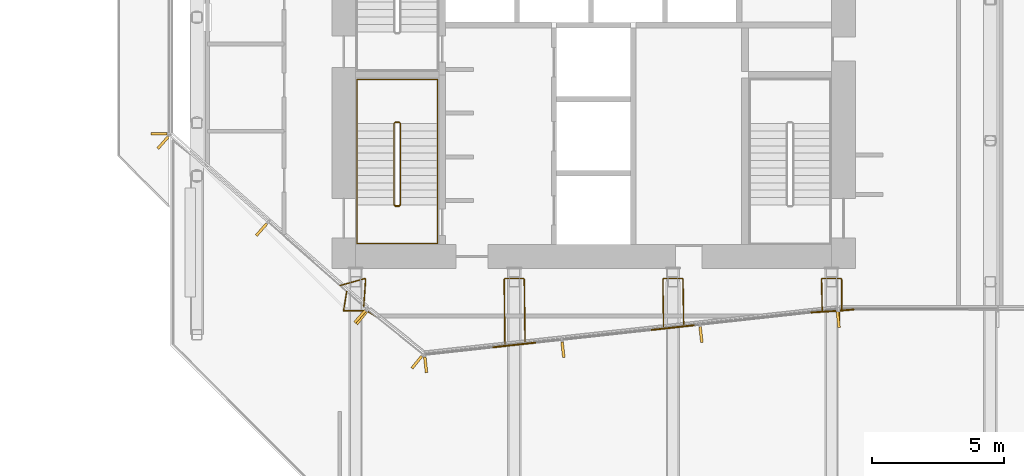
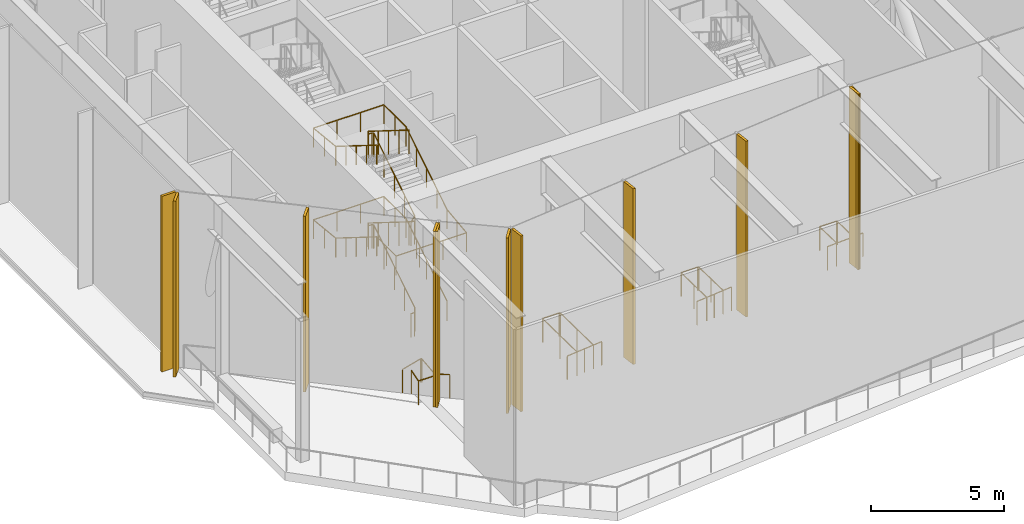
# One storey, part 18 of 25: 11 coverings, 10 railings.
"""IFC4 building model written with IfcOpenShell, lengths in metres."""

import ifcopenshell
import ifcopenshell.guid

model = None  # the IFC model being written
_history = None  # IfcOwnerHistory: only IFC2X3 demands one
_inside = {}  # id of a spatial element -> (the spatial element, [elements in it])
_under = {}  # id of a project, library or spatial element -> (it, [spatial elements below it])
_declared = {}  # id of a project -> (the project, [libraries it declares])
_typed = {}  # id of a type object -> (the type object, [elements of that type])
_made_of = {}  # id of a material, layer set ... -> (it, [elements and type objects made of it])


def new_model(schema):
    """Start an empty IFC model of exactly this schema.

    Asked for "IFC4X3", IfcOpenShell would pick the latest addendum, in which some entities
    have other attributes; the version numbers below select the first issue.
    IFC2X3 requires an IfcOwnerHistory on every rooted entity: one is made here for all.
    """
    global model, _history
    if schema == "IFC4X3":
        model = ifcopenshell.file(schema_version=(4, 3, 0, 0))
    else:
        model = ifcopenshell.file(schema=schema)
    _inside.clear()
    _under.clear()
    _declared.clear()
    _typed.clear()
    _made_of.clear()
    _history = None
    if model.schema == "IFC2X3":
        org = make("IfcOrganization", Name="unknown")
        user = make(
            "IfcPersonAndOrganization",
            ThePerson=make("IfcPerson", FamilyName="unknown"),
            TheOrganization=org,
        )
        app = make(
            "IfcApplication",
            ApplicationDeveloper=org,
            Version="unknown",
            ApplicationFullName="unknown",
            ApplicationIdentifier="unknown",
        )
        _history = make(
            "IfcOwnerHistory",
            OwningUser=user,
            OwningApplication=app,
            ChangeAction="ADDED",
            CreationDate=0,
        )
    return model


def make(cls, **values):
    """One entity of the class cls with the attributes given. An attribute that is None is left unset."""
    return model.create_entity(
        cls, **{name: value for name, value in values.items() if value is not None}
    )


def rooted(cls, **values):
    """An entity with a GlobalId (a new one), such as an element, a storey or a relation."""
    return make(cls, GlobalId=ifcopenshell.guid.new(), OwnerHistory=_history, **values)


def si_unit(unit_type, name, prefix=None):
    """IfcSIUnit, for example si_unit("LENGTHUNIT", "METRE", prefix="MILLI")."""
    return make("IfcSIUnit", UnitType=unit_type, Prefix=prefix, Name=name)


def assignment(units):
    """IfcUnitAssignment: the units of a project."""
    return None if units is None else make("IfcUnitAssignment", Units=units)


def point(xyz):
    """IfcCartesianPoint."""
    return None if xyz is None else make("IfcCartesianPoint", Coordinates=xyz)


def direction(xyz):
    """IfcDirection."""
    return None if xyz is None else make("IfcDirection", DirectionRatios=xyz)


def frame(location, z_axis=None, x_axis=None):
    """IfcAxis2Placement3D, a coordinate frame: its origin and axes. An axis left out is left unset."""
    return make(
        "IfcAxis2Placement3D",
        Location=point(location),
        Axis=direction(z_axis),
        RefDirection=direction(x_axis),
    )


def frame_2d(location, x_axis=None):
    """IfcAxis2Placement2D, a coordinate frame in the plane: its origin and x axis."""
    return make(
        "IfcAxis2Placement2D", Location=point(location), RefDirection=direction(x_axis)
    )


def origin():
    """The frame at (0, 0, 0) with its axes left unset."""
    return frame((0.0, 0.0, 0.0))


def origin_2d():
    """The frame at (0, 0) in the plane with its x axis left unset."""
    return frame_2d((0.0, 0.0))


def place(relative_to, where):
    """IfcLocalPlacement: puts the frame where relative to a parent placement (None: the world)."""
    return make(
        "IfcLocalPlacement", PlacementRelTo=relative_to, RelativePlacement=where
    )


def context(
    kind, dimensions, precision=None, world=None, true_north=None, identifier=None
):
    """IfcGeometricRepresentationContext, for example the 3D "Model" context."""
    return make(
        "IfcGeometricRepresentationContext",
        ContextIdentifier=identifier,
        ContextType=kind,
        CoordinateSpaceDimension=dimensions,
        Precision=precision,
        WorldCoordinateSystem=world,
        TrueNorth=true_north,
    )


def subcontext(parent, identifier, kind, view, scale=None):
    """IfcGeometricRepresentationSubContext, for example "Body" below "Model"."""
    return make(
        "IfcGeometricRepresentationSubContext",
        ContextIdentifier=identifier,
        ContextType=kind,
        ParentContext=parent,
        TargetScale=scale,
        TargetView=view,
    )


def project(units=None, contexts=None):
    """IfcProject with its units and contexts."""
    return rooted(
        "IfcProject",
        Name="project",
        RepresentationContexts=contexts,
        UnitsInContext=assignment(units),
    )


def spatial(cls, under=None, at=None, **own):
    """A site, building, storey or space (cls), placed at a placement, below another one or the project."""
    s = rooted(cls, ObjectPlacement=at, **own)
    if under is not None:
        _under.setdefault(under.id(), (under, []))[1].append(s)
    return s


def profile(cls, at=None, kind="AREA", **sizes):
    """A parametric profile (cls). Its sizes go by their IFC names, for example OverallWidth=200.0."""
    return make(cls, ProfileType=kind, Position=at, **sizes)


def rectangle(**sizes):
    """IfcRectangleProfileDef."""
    return profile("IfcRectangleProfileDef", **sizes)


def circle(**sizes):
    """IfcCircleProfileDef."""
    return profile("IfcCircleProfileDef", **sizes)


def extrude(swept, where, along, depth):
    """IfcExtrudedAreaSolid: the profile swept, set in the frame where, extruded along a direction by depth."""
    return make(
        "IfcExtrudedAreaSolid",
        SweptArea=swept,
        Position=where,
        ExtrudedDirection=direction(along),
        Depth=depth,
    )


def shape(context_of_items, identifier, shape_type, items):
    """IfcShapeRepresentation: the items that make up one representation, for example the "Body"."""
    return make(
        "IfcShapeRepresentation",
        ContextOfItems=context_of_items,
        RepresentationIdentifier=identifier,
        RepresentationType=shape_type,
        Items=items,
    )


def material(Name=None, Category=None):
    """IfcMaterial."""
    return make("IfcMaterial", Name=Name, Category=Category)


def layer(
    of_material, thickness, ventilated=None, Name=None, Category=None, Priority=None
):
    """IfcMaterialLayer: one layer of a wall or slab, of a material (None: an air gap)."""
    return make(
        "IfcMaterialLayer",
        Material=of_material,
        LayerThickness=thickness,
        IsVentilated=ventilated,
        Name=Name,
        Category=Category,
        Priority=Priority,
    )


def layer_set(layers, Name=None):
    """IfcMaterialLayerSet."""
    return make("IfcMaterialLayerSet", MaterialLayers=layers, LayerSetName=Name)


def made_of(thing, what):
    """Note that an element or type object is made of a material, layer set ...; save() writes the relation."""
    if what is not None:
        _made_of.setdefault(what.id(), (what, []))[1].append(thing)
    return thing


def type_object(cls, material=None, **own):
    """A type object (cls), such as IfcWallType, which elements share."""
    return made_of(rooted(cls, **own), material)


def element(
    cls,
    number,
    at=None,
    inside=None,
    cuts=None,
    type_object=None,
    material=None,
    context=None,
    identifier="Body",
    shape_type=None,
    held_by="IfcProductDefinitionShape",
    body=None,
    shapes=None,
    **own,
):
    """One element of the class cls, such as IfcWall. Its Tag is "e" and its number.

    at: its placement. inside: the storey or other place that contains it. cuts: it is an
    opening in that element (IfcRelVoidsElement). A single representation is given by context,
    identifier, shape_type and body (its items); several are given by shapes. held_by: the class
    of the entity that holds the representations. save() writes the other relations.
    """
    e = rooted(cls, Tag="e%d" % number, ObjectPlacement=at, **own)
    if body is not None:
        shapes = [shape(context, identifier, shape_type, body)]
    if shapes is not None:
        e.Representation = make(held_by, Representations=shapes)
    if inside is not None:
        _inside.setdefault(inside.id(), (inside, []))[1].append(e)
    if cuts is not None:
        rooted(
            "IfcRelVoidsElement", RelatingBuildingElement=cuts, RelatedOpeningElement=e
        )
    if type_object is not None:
        _typed.setdefault(type_object.id(), (type_object, []))[1].append(e)
    return made_of(e, material)


def aggregate(whole, parts):
    """IfcRelAggregates: a whole, such as a stair, and the parts it consists of."""
    return rooted("IfcRelAggregates", RelatingObject=whole, RelatedObjects=parts)


def save(model, path):
    """Write the relations noted so far, then the file.

    IfcRelAggregates (storeys below a building ...), IfcRelContainedInSpatialStructure (elements
    in a storey), IfcRelDefinesByType, IfcRelAssociatesMaterial and IfcRelDeclares: one each for
    every whole, place, type object, material and project.
    """
    for whole, parts in _under.values():
        aggregate(whole, parts)
    for where, things in _inside.values():
        rooted(
            "IfcRelContainedInSpatialStructure",
            RelatedElements=things,
            RelatingStructure=where,
        )
    for kind, things in _typed.values():
        rooted("IfcRelDefinesByType", RelatedObjects=things, RelatingType=kind)
    for what, things in _made_of.values():
        rooted("IfcRelAssociatesMaterial", RelatedObjects=things, RelatingMaterial=what)
    for by, libraries in _declared.values():
        rooted("IfcRelDeclares", RelatingContext=by, RelatedDefinitions=libraries)
    model.write(path)


model = new_model("IFC4")

# Units and contexts
model_context = context("Model", 3, precision=1e-05, world=origin(), true_north=direction((0.0, 1.0)))
body_context = subcontext(model_context, "Body", "Model", "MODEL_VIEW")
ifc_project = project(units=[si_unit("LENGTHUNIT", "METRE"), si_unit("AREAUNIT", "SQUARE_METRE"), si_unit("VOLUMEUNIT", "CUBIC_METRE"), si_unit("PLANEANGLEUNIT", "RADIAN"), si_unit("MASSUNIT", "GRAM", prefix="KILO")], contexts=[model_context])

# Site, building, storey
site_placement = place(None, origin())
site = spatial("IfcSite", under=ifc_project, at=site_placement, CompositionType="ELEMENT")
building_placement = place(site_placement, origin())
building = spatial("IfcBuilding", under=site, at=building_placement, Name="Welwitschia Terrace Campus", CompositionType="ELEMENT")
storey_placement = place(building_placement, frame((0.0, 0.0, 79.39990234375)))
storey = spatial("IfcBuildingStorey", under=building, at=storey_placement, Name="L18", CompositionType="ELEMENT", Elevation=79.39990234375)

# Coverings
ifc_material_1 = material(Name="Bronze anodised aluminium", Category="aluminium")
ifc_layer = layer(ifc_material_1, 0.10009765625)
ifc_layer_set = layer_set([ifc_layer], Name="Bronze anodised aluminium")
covering_type = type_object("IfcCoveringType", Name="Bronze fin 100x600", PredefinedType="USERDEFINED", material=ifc_layer_set)
for number, where, z_axis, x_axis, name in (
    (1, (-1.429931640625, 9.59521484375, 0.0), (0.0, 0.0, 1.0), (0.0, -1.0, 0.0), "Fin L18.4.3"),
    (2, (-1.279052734375, 9.260498046875, 0.0), (0.0, 0.0, 1.0), (0.749629504102, -0.661857693601, 0.0), "Fin L18.5.0"),
    (3, (2.444580078125, 5.97265625, 0.0), (0.0, 0.0, 1.0), (0.749629504102, -0.661857693601, 0.0), "Fin L18.5.1"),
    (4, (6.168212890625, 2.68505859375, 0.0), (0.0, 0.0, 1.0), (0.749629504102, -0.661857693601, 0.0), "Fin L18.5.2"),
    (5, (6.227783203125, 2.635009765625, 0.0), (0.0, 0.0, 1.0), (0.779884483093, -0.625923472184, 0.0), "Fin L18.6.0"),
    (6, (8.318115234375, 0.95751953125, 0.0), (0.0, 0.0, 1.0), (0.779884483093, -0.625923472184, 0.0), "Fin L18.6.1"),
    (7, (8.650390625, 0.860595703125, 0.0), (0.0, 0.0, 1.0), (0.994056338222, 0.108866874852, 0.0), "Fin L18.7.0"),
    (8, (13.8408203125, 1.428955078125, 0.0), (0.0, 0.0, 1.0), (0.994056338222, 0.108866874852, 0.0), "Fin L18.7.1"),
    (9, (19.060791015625, 2.00048828125, 0.0), (0.0, 0.0, 1.0), (0.994056338222, 0.108866874852, 0.0), "Fin L18.7.2"),
    (10, (24.2509765625, 2.569091796875, 0.0), (0.0, 0.0, 1.0), (0.994056338222, 0.108866874852, 0.0), "Fin L18.7.3"),
    (11, (24.269287109375, 2.570068359375, 0.0), (0.0, 0.0, 1.0), (1.0, 0.0, 0.0), "Fin L18.8.0"),
):
    element("IfcCovering", number, at=place(storey_placement, frame(where, z_axis=z_axis, x_axis=x_axis)), inside=storey, type_object=covering_type, Name=name, ObjectType="FIN", PredefinedType="USERDEFINED", context=body_context, shape_type="SweptSolid", body=[
        extrude(rectangle(XDim=0.10009765625, YDim=0.60009765625, at=origin_2d()), origin(), (0.0, 0.0, 1.0), 8.050048828125),
    ])

# Railings
ifc_material_2 = material(Name="Stainless steel grade 316", Category="steel")
railing_type_1 = type_object("IfcRailingType", Name="Guard 1100", PredefinedType="GUARDRAIL", material=ifc_material_2)
railing_1_placement = place(storey_placement, frame((5.665283203125, 3.635986328125, 0.0)))
element("IfcRailing", 12, at=railing_1_placement, inside=storey, type_object=railing_type_1, Name="Guard terrace L18:0:0.1", PredefinedType="GUARDRAIL", context=body_context, shape_type="SweptSolid", body=[
    extrude(circle(Radius=0.02392578125, at=origin_2d()), frame((0.0, 0.0, 1.076171875), z_axis=(-0.162010149383, -0.986789091699, 0.0), x_axis=(0.986789091699, -0.162010149383, 0.0)), (0.0, 0.0, 1.0), 0.745849609375),
    extrude(circle(Radius=0.02392578125, at=origin_2d()), frame((-0.120849609375, -0.736083984375, 1.076171875), z_axis=(1.0, 0.0, 0.0), x_axis=(0.0, 1.0, 0.0)), (0.0, 0.0, 1.0), 0.88037109375),
    extrude(circle(Radius=0.02392578125, at=origin_2d()), frame((0.759521484375, -0.736083984375, 1.076171875), z_axis=(0.849576703176, -0.52746509403, 0.0), x_axis=(0.52746509403, 0.849576703176, 0.0)), (0.0, 0.0, 1.0), 0.416015625),
    extrude(circle(Radius=0.02099609375, at=origin_2d()), origin(), (0.0, 0.0, 1.0), 1.052001953125),
    extrude(circle(Radius=0.02099609375, at=origin_2d()), frame((-0.120849609375, -0.736083984375, 0.0)), (0.0, 0.0, 1.0), 1.052001953125),
    extrude(circle(Radius=0.02099609375, at=origin_2d()), frame((0.759521484375, -0.736083984375, 0.0)), (0.0, 0.0, 1.0), 1.052001953125),
    extrude(circle(Radius=0.02099609375, at=origin_2d()), frame((1.113037109375, -0.95556640625, 0.0)), (0.0, 0.0, 1.0), 1.052001953125),
])
railing_2_placement = place(storey_placement, frame((11.19921875, 1.52197265625, 0.0)))
element("IfcRailing", 13, at=railing_2_placement, inside=storey, type_object=railing_type_1, Name="Guard terrace L18:0:0.2", PredefinedType="GUARDRAIL", context=body_context, shape_type="SweptSolid", body=[
    extrude(circle(Radius=0.02392578125, at=origin_2d()), frame((0.0, 0.0, 1.076171875), z_axis=(0.994064732471, 0.108790200192, 0.0), x_axis=(-0.108790200192, 0.994064732471, 0.0)), (0.0, 0.0, 1.0), 1.60009765625),
    extrude(circle(Radius=0.02099609375, at=origin_2d()), origin(), (0.0, 0.0, 1.0), 1.052001953125),
    extrude(circle(Radius=0.02099609375, at=origin_2d()), frame((0.79541015625, 0.0869140625, 0.0)), (0.0, 0.0, 1.0), 1.052001953125),
    extrude(circle(Radius=0.02099609375, at=origin_2d()), frame((1.590576171875, 0.174072265625, 0.0)), (0.0, 0.0, 1.0), 1.052001953125),
])
railing_3_placement = place(storey_placement, frame((17.19921875, 2.178955078125, 0.0)))
element("IfcRailing", 14, at=railing_3_placement, inside=storey, type_object=railing_type_1, Name="Guard terrace L18:0:0.3", PredefinedType="GUARDRAIL", context=body_context, shape_type="SweptSolid", body=[
    extrude(circle(Radius=0.02392578125, at=origin_2d()), frame((0.0, 0.0, 1.076171875), z_axis=(0.994048220523, 0.10894097152, 0.0), x_axis=(-0.10894097152, 0.994048220523, 0.0)), (0.0, 0.0, 1.0), 1.60009765625),
    extrude(circle(Radius=0.02099609375, at=origin_2d()), origin(), (0.0, 0.0, 1.0), 1.052001953125),
    extrude(circle(Radius=0.02099609375, at=origin_2d()), frame((0.79541015625, 0.087158203125, 0.0)), (0.0, 0.0, 1.0), 1.052001953125),
    extrude(circle(Radius=0.02099609375, at=origin_2d()), frame((1.590576171875, 0.17431640625, 0.0)), (0.0, 0.0, 1.0), 1.052001953125),
])
railing_4_placement = place(storey_placement, frame((23.2275390625, 2.839111328125, 0.0)))
element("IfcRailing", 15, at=railing_4_placement, inside=storey, type_object=railing_type_1, Name="Guard terrace L18:0:0.4", PredefinedType="GUARDRAIL", context=body_context, shape_type="SweptSolid", body=[
    extrude(circle(Radius=0.02392578125, at=origin_2d()), frame((0.0, 0.0, 1.076171875), z_axis=(0.99821001114, 0.059806133969, 0.0), x_axis=(-0.059806133969, 0.99821001114, 0.0)), (0.0, 0.0, 1.0), 1.016357421875),
    extrude(circle(Radius=0.02392578125, at=origin_2d()), frame((1.0146484375, 0.060791015625, 1.076171875), z_axis=(0.996359779769, 0.085247810873, 0.0), x_axis=(-0.085247810873, 0.996359779769, 0.0)), (0.0, 0.0, 1.0), 0.587158203125),
    extrude(circle(Radius=0.02099609375, at=origin_2d()), origin(), (0.0, 0.0, 1.0), 1.052001953125),
    extrude(circle(Radius=0.02099609375, at=origin_2d()), frame((1.0146484375, 0.060791015625, 0.0)), (0.0, 0.0, 1.0), 1.052001953125),
    extrude(circle(Radius=0.02099609375, at=origin_2d()), frame((1.599609375, 0.11083984375, 0.0)), (0.0, 0.0, 1.0), 1.052001953125),
])
railing_5_placement = place(storey_placement, frame((24.3798828125, 2.949951171875, 0.0)))
element("IfcRailing", 16, at=railing_5_placement, inside=storey, type_object=railing_type_1, Name="Guard floor edge L18.32", PredefinedType="GUARDRAIL", context=body_context, shape_type="SweptSolid", body=[
    extrude(circle(Radius=0.02392578125, at=origin_2d()), frame((0.0, 0.0, 1.076171875), z_axis=(0.0, 1.0, 0.0), x_axis=(-1.0, 0.0, 0.0)), (0.0, 0.0, 1.0), 1.142333984375),
    extrude(circle(Radius=0.02392578125, at=origin_2d()), frame((0.0, 1.142333984375, 1.076171875), z_axis=(-0.703984942414, 0.710214897657, 0.0), x_axis=(-0.710214897657, -0.703984942414, 0.0)), (0.0, 0.0, 1.0), 0.039306640625),
    extrude(circle(Radius=0.02392578125, at=origin_2d()), frame((-0.027587890625, 1.170166015625, 1.076171875), z_axis=(-1.0, 0.0, 0.0), x_axis=(0.0, -1.0, 0.0)), (0.0, 0.0, 1.0), 0.70458984375),
    extrude(circle(Radius=0.02392578125, at=origin_2d()), frame((-0.732177734375, 1.170166015625, 1.076171875), z_axis=(-0.703984942414, -0.710214897657, 0.0), x_axis=(0.710214897657, -0.703984942414, 0.0)), (0.0, 0.0, 1.0), 0.039306640625),
    extrude(circle(Radius=0.02392578125, at=origin_2d()), frame((-0.759765625, 1.142333984375, 1.076171875), z_axis=(0.020622509203, -0.999787333444, 0.0), x_axis=(0.999787333444, 0.020622509203, 0.0)), (0.0, 0.0, 1.0), 1.20751953125),
    extrude(circle(Radius=0.02099609375, at=origin_2d()), origin(), (0.0, 0.0, 1.0), 1.052001953125),
    extrude(circle(Radius=0.02099609375, at=origin_2d()), frame((0.0, 1.142333984375, 0.0)), (0.0, 0.0, 1.0), 1.052001953125),
    extrude(circle(Radius=0.02099609375, at=origin_2d()), frame((-0.027587890625, 1.170166015625, 0.0)), (0.0, 0.0, 1.0), 1.052001953125),
    extrude(circle(Radius=0.02099609375, at=origin_2d()), frame((-0.732177734375, 1.170166015625, 0.0)), (0.0, 0.0, 1.0), 1.052001953125),
    extrude(circle(Radius=0.02099609375, at=origin_2d()), frame((-0.759765625, 1.142333984375, 0.0)), (0.0, 0.0, 1.0), 1.052001953125),
    extrude(circle(Radius=0.02099609375, at=origin_2d()), frame((-0.73486328125, -0.06494140625, 0.0)), (0.0, 0.0, 1.0), 1.052001953125),
])
railing_6_placement = place(storey_placement, frame((18.4072265625, 2.311279296875, 0.0)))
element("IfcRailing", 17, at=railing_6_placement, inside=storey, type_object=railing_type_1, Name="Guard floor edge L18.41", PredefinedType="GUARDRAIL", context=body_context, shape_type="SweptSolid", body=[
    extrude(circle(Radius=0.02392578125, at=origin_2d()), frame((0.0, 0.0, 1.076171875), z_axis=(-0.015351172357, 0.999882163811, 0.0), x_axis=(-0.999882163811, -0.015351172357, 0.0)), (0.0, 0.0, 1.0), 1.78125),
    extrude(circle(Radius=0.02392578125, at=origin_2d()), frame((-0.02734375, 1.781005859375, 1.076171875), z_axis=(-0.703984942414, 0.710214897657, 0.0), x_axis=(-0.710214897657, -0.703984942414, 0.0)), (0.0, 0.0, 1.0), 0.039306640625),
    extrude(circle(Radius=0.02392578125, at=origin_2d()), frame((-0.054931640625, 1.808837890625, 1.076171875), z_axis=(-1.0, 0.0, 0.0), x_axis=(0.0, -1.0, 0.0)), (0.0, 0.0, 1.0), 0.70458984375),
    extrude(circle(Radius=0.02392578125, at=origin_2d()), frame((-0.759521484375, 1.808837890625, 1.076171875), z_axis=(-0.703984942414, -0.710214897657, 0.0), x_axis=(0.710214897657, -0.703984942414, 0.0)), (0.0, 0.0, 1.0), 0.039306640625),
    extrude(circle(Radius=0.02392578125, at=origin_2d()), frame((-0.787109375, 1.781005859375, 1.076171875), z_axis=(0.014534870916, -0.999894363184, 0.0), x_axis=(0.999894363184, 0.014534870916, 0.0)), (0.0, 0.0, 1.0), 1.864501953125),
    extrude(circle(Radius=0.02099609375, at=origin_2d()), origin(), (0.0, 0.0, 1.0), 1.052001953125),
    extrude(circle(Radius=0.02099609375, at=origin_2d()), frame((-0.013671875, 0.890625, 0.0)), (0.0, 0.0, 1.0), 1.052001953125),
    extrude(circle(Radius=0.02099609375, at=origin_2d()), frame((-0.02734375, 1.781005859375, 0.0)), (0.0, 0.0, 1.0), 1.052001953125),
    extrude(circle(Radius=0.02099609375, at=origin_2d()), frame((-0.054931640625, 1.808837890625, 0.0)), (0.0, 0.0, 1.0), 1.052001953125),
    extrude(circle(Radius=0.02099609375, at=origin_2d()), frame((-0.759521484375, 1.808837890625, 0.0)), (0.0, 0.0, 1.0), 1.052001953125),
    extrude(circle(Radius=0.02099609375, at=origin_2d()), frame((-0.787109375, 1.781005859375, 0.0)), (0.0, 0.0, 1.0), 1.052001953125),
    extrude(circle(Radius=0.02099609375, at=origin_2d()), frame((-0.7734375, 0.848876953125, 0.0)), (0.0, 0.0, 1.0), 1.052001953125),
    extrude(circle(Radius=0.02099609375, at=origin_2d()), frame((-0.760009765625, -0.083251953125, 0.0)), (0.0, 0.0, 1.0), 1.052001953125),
])
railing_7_placement = place(storey_placement, frame((12.4072265625, 1.654296875, 0.0)))
element("IfcRailing", 18, at=railing_7_placement, inside=storey, type_object=railing_type_1, Name="Guard floor edge L18.42", PredefinedType="GUARDRAIL", context=body_context, shape_type="SweptSolid", body=[
    extrude(circle(Radius=0.02392578125, at=origin_2d()), frame((0.0, 0.0, 1.076171875), z_axis=(-0.011214996627, 0.999937109948, 0.0), x_axis=(-0.999937109948, -0.011214996627, 0.0)), (0.0, 0.0, 1.0), 2.438232421875),
    extrude(circle(Radius=0.02392578125, at=origin_2d()), frame((-0.02734375, 2.43798828125, 1.076171875), z_axis=(-0.703984942414, 0.710214897657, 0.0), x_axis=(-0.710214897657, -0.703984942414, 0.0)), (0.0, 0.0, 1.0), 0.039306640625),
    extrude(circle(Radius=0.02392578125, at=origin_2d()), frame((-0.054931640625, 2.4658203125, 1.076171875), z_axis=(-1.0, 0.0, 0.0), x_axis=(0.0, -1.0, 0.0)), (0.0, 0.0, 1.0), 0.70458984375),
    extrude(circle(Radius=0.02392578125, at=origin_2d()), frame((-0.759521484375, 2.4658203125, 1.076171875), z_axis=(-0.703984942414, -0.710214897657, 0.0), x_axis=(0.710214897657, -0.703984942414, 0.0)), (0.0, 0.0, 1.0), 0.039306640625),
    extrude(circle(Radius=0.02392578125, at=origin_2d()), frame((-0.787109375, 2.43798828125, 1.076171875), z_axis=(0.010746861913, -0.999942250812, 0.0), x_axis=(0.999942250812, 0.010746861913, 0.0)), (0.0, 0.0, 1.0), 2.521728515625),
    extrude(circle(Radius=0.02099609375, at=origin_2d()), origin(), (0.0, 0.0, 1.0), 1.052001953125),
    extrude(circle(Radius=0.02099609375, at=origin_2d()), frame((-0.013671875, 1.218994140625, 0.0)), (0.0, 0.0, 1.0), 1.052001953125),
    extrude(circle(Radius=0.02099609375, at=origin_2d()), frame((-0.02734375, 2.43798828125, 0.0)), (0.0, 0.0, 1.0), 1.052001953125),
    extrude(circle(Radius=0.02099609375, at=origin_2d()), frame((-0.054931640625, 2.4658203125, 0.0)), (0.0, 0.0, 1.0), 1.052001953125),
    extrude(circle(Radius=0.02099609375, at=origin_2d()), frame((-0.759521484375, 2.4658203125, 0.0)), (0.0, 0.0, 1.0), 1.052001953125),
    extrude(circle(Radius=0.02099609375, at=origin_2d()), frame((-0.787109375, 2.43798828125, 0.0)), (0.0, 0.0, 1.0), 1.052001953125),
    extrude(circle(Radius=0.02099609375, at=origin_2d()), frame((-0.7734375, 1.17724609375, 0.0)), (0.0, 0.0, 1.0), 1.052001953125),
    extrude(circle(Radius=0.02099609375, at=origin_2d()), frame((-0.760009765625, -0.08349609375, 0.0)), (0.0, 0.0, 1.0), 1.052001953125),
])
railing_8_placement = place(storey_placement, frame((6.30810546875, 3.068603515625, 0.0)))
element("IfcRailing", 19, at=railing_8_placement, inside=storey, type_object=railing_type_1, Name="Guard floor edge L18.51", PredefinedType="GUARDRAIL", context=body_context, shape_type="SweptSolid", body=[
    extrude(circle(Radius=0.02392578125, at=origin_2d()), frame((0.0, 0.0, 1.076171875), z_axis=(0.069945134018, 0.997550839921, 0.0), x_axis=(-0.997550839921, 0.069945134018, 0.0)), (0.0, 0.0, 1.0), 1.026123046875),
    extrude(circle(Radius=0.02392578125, at=origin_2d()), frame((0.07177734375, 1.023681640625, 1.076171875), z_axis=(-0.703984942414, 0.710214897657, 0.0), x_axis=(-0.710214897657, -0.703984942414, 0.0)), (0.0, 0.0, 1.0), 0.039306640625),
    extrude(circle(Radius=0.02392578125, at=origin_2d()), frame((0.044189453125, 1.051513671875, 1.076171875), z_axis=(-0.962679536034, -0.270643882069, 0.0), x_axis=(0.270643882069, -0.962679536034, 0.0)), (0.0, 0.0, 1.0), 0.973388671875),
    extrude(circle(Radius=0.02099609375, at=origin_2d()), origin(), (0.0, 0.0, 1.0), 1.052001953125),
    extrude(circle(Radius=0.02099609375, at=origin_2d()), frame((0.07177734375, 1.023681640625, 0.0)), (0.0, 0.0, 1.0), 1.052001953125),
    extrude(circle(Radius=0.02099609375, at=origin_2d()), frame((0.044189453125, 1.051513671875, 0.0)), (0.0, 0.0, 1.0), 1.052001953125),
    extrude(circle(Radius=0.02099609375, at=origin_2d()), frame((-0.892822265625, 0.7880859375, 0.0)), (0.0, 0.0, 1.0), 1.052001953125),
])
ifc_material_3 = material(Name="Steel S355", Category="steel")
railing_type_2 = type_object("IfcRailingType", Name="Stair guard 1100", PredefinedType="GUARDRAIL", material=ifc_material_3)
railing_9_placement = place(storey_placement, frame((7.5, 6.85009765625, 0.0)))
element("IfcRailing", 20, at=railing_9_placement, inside=storey, type_object=railing_type_2, Name="L18 S1 stair guard", PredefinedType="GUARDRAIL", context=body_context, shape_type="SweptSolid", body=[
    extrude(circle(Radius=0.02392578125, at=origin_2d()), frame((0.0, 0.0, 1.076171875), z_axis=(1.0, 0.0, 0.0), x_axis=(0.0, 1.0, 0.0)), (0.0, 0.0, 1.0), 0.14990234375),
    extrude(circle(Radius=0.02392578125, at=origin_2d()), frame((0.14990234375, 0.0, 1.076171875), z_axis=(0.265155923931, 0.263862480399, 0.927399011991), x_axis=(-0.705375805398, 0.708833529934, 0.0)), (0.0, 0.0, 1.0), 0.188720703125),
    extrude(circle(Radius=0.02392578125, at=origin_2d()), frame((0.199951171875, 0.0498046875, 1.2509765625), z_axis=(0.0, 0.847998304005, 0.529998940003), x_axis=(-1.0, 0.0, 0.0)), (0.0, 0.0, 1.0), 3.632080078125),
    extrude(circle(Radius=0.02392578125, at=origin_2d()), frame((0.199951171875, 3.1298828125, 3.17626953125), z_axis=(-0.707106781187, 0.707106781187, 0.0), x_axis=(-0.707106781187, -0.707106781187, 0.0)), (0.0, 0.0, 1.0), 0.07080078125),
    extrude(circle(Radius=0.02392578125, at=origin_2d()), frame((0.14990234375, 3.179931640625, 3.17626953125), z_axis=(-1.0, 0.0, 0.0), x_axis=(0.0, -1.0, 0.0)), (0.0, 0.0, 1.0), 0.14990234375),
    extrude(circle(Radius=0.02392578125, at=origin_2d()), frame((0.0, 3.179931640625, 3.17626953125), z_axis=(-0.265065253269, -0.265065253269, 0.927081885822), x_axis=(0.707106781187, -0.707106781187, 0.0)), (0.0, 0.0, 1.0), 0.188720703125),
    extrude(circle(Radius=0.02392578125, at=origin_2d()), frame((-0.050048828125, 3.1298828125, 3.35107421875), z_axis=(0.0, -0.847998304005, 0.529998940003), x_axis=(1.0, 0.0, 0.0)), (0.0, 0.0, 1.0), 3.632080078125),
    extrude(circle(Radius=0.02392578125, at=origin_2d()), frame((-0.050048828125, 0.0498046875, 5.2763671875), z_axis=(0.970351222016, -0.241699205484, 0.0), x_axis=(0.241699205484, 0.970351222016, 0.0)), (0.0, 0.0, 1.0), 0.2060546875),
    extrude(circle(Radius=0.02392578125, at=origin_2d()), frame((0.14990234375, 0.0, 5.2763671875), z_axis=(-1.0, 0.0, 0.0), x_axis=(0.0, -1.0, 0.0)), (0.0, 0.0, 1.0), 0.14990234375),
    extrude(circle(Radius=0.02392578125, at=origin_2d()), frame((0.0, 0.0, 5.2763671875), z_axis=(0.739963005698, 0.184313129624, 0.646902945152), x_axis=(-0.241699205484, 0.970351222016, 0.0)), (0.0, 0.0, 1.0), 0.270263671875),
    extrude(circle(Radius=0.02392578125, at=origin_2d()), frame((0.199951171875, 0.0498046875, 5.451171875), z_axis=(0.0, 0.847998304005, 0.529998940003), x_axis=(-1.0, 0.0, 0.0)), (0.0, 0.0, 1.0), 3.632080078125),
    extrude(circle(Radius=0.02392578125, at=origin_2d()), frame((0.199951171875, 3.1298828125, 7.3759765625), z_axis=(-0.707106781187, 0.707106781187, 0.0), x_axis=(-0.707106781187, -0.707106781187, 0.0)), (0.0, 0.0, 1.0), 0.07080078125),
    extrude(circle(Radius=0.02392578125, at=origin_2d()), frame((0.14990234375, 3.179931640625, 7.3759765625), z_axis=(-1.0, 0.0, 0.0), x_axis=(0.0, -1.0, 0.0)), (0.0, 0.0, 1.0), 0.14990234375),
    extrude(circle(Radius=0.02392578125, at=origin_2d()), frame((0.0, 3.179931640625, 7.3759765625), z_axis=(-0.265065253269, -0.265065253269, 0.927081885822), x_axis=(0.707106781187, -0.707106781187, 0.0)), (0.0, 0.0, 1.0), 0.188720703125),
    extrude(circle(Radius=0.02392578125, at=origin_2d()), frame((-0.050048828125, 3.1298828125, 7.55126953125), z_axis=(0.0, -0.847998304005, 0.529998940003), x_axis=(1.0, 0.0, 0.0)), (0.0, 0.0, 1.0), 3.632080078125),
    extrude(circle(Radius=0.02099609375, at=origin_2d()), origin(), (0.0, 0.0, 1.0), 1.052001953125),
    extrude(circle(Radius=0.02099609375, at=origin_2d()), frame((0.14990234375, 0.0, 0.0)), (0.0, 0.0, 1.0), 1.052001953125),
    extrude(circle(Radius=0.02099609375, at=origin_2d()), frame((0.199951171875, 0.0498046875, 0.175048828125)), (0.0, 0.0, 1.0), 1.052001953125),
    extrude(circle(Radius=0.02099609375, at=origin_2d()), frame((0.199951171875, 0.81982421875, 0.65625)), (0.0, 0.0, 1.0), 1.052001953125),
    extrude(circle(Radius=0.02099609375, at=origin_2d()), frame((0.199951171875, 1.58984375, 1.1376953125)), (0.0, 0.0, 1.0), 1.052001953125),
    extrude(circle(Radius=0.02099609375, at=origin_2d()), frame((0.199951171875, 2.35986328125, 1.618896484375)), (0.0, 0.0, 1.0), 1.052001953125),
    extrude(circle(Radius=0.02099609375, at=origin_2d()), frame((0.199951171875, 3.1298828125, 2.10009765625)), (0.0, 0.0, 1.0), 1.052001953125),
    extrude(circle(Radius=0.02099609375, at=origin_2d()), frame((0.14990234375, 3.179931640625, 2.10009765625)), (0.0, 0.0, 1.0), 1.052001953125),
    extrude(circle(Radius=0.02099609375, at=origin_2d()), frame((0.0, 3.179931640625, 2.10009765625)), (0.0, 0.0, 1.0), 1.052001953125),
    extrude(circle(Radius=0.02099609375, at=origin_2d()), frame((-0.050048828125, 3.1298828125, 2.275146484375)), (0.0, 0.0, 1.0), 1.052001953125),
    extrude(circle(Radius=0.02099609375, at=origin_2d()), frame((-0.050048828125, 2.35986328125, 2.75634765625)), (0.0, 0.0, 1.0), 1.052001953125),
    extrude(circle(Radius=0.02099609375, at=origin_2d()), frame((-0.050048828125, 1.58984375, 3.23779296875)), (0.0, 0.0, 1.0), 1.052001953125),
    extrude(circle(Radius=0.02099609375, at=origin_2d()), frame((-0.050048828125, 0.81982421875, 3.718994140625)), (0.0, 0.0, 1.0), 1.052001953125),
    extrude(circle(Radius=0.02099609375, at=origin_2d()), frame((-0.050048828125, 0.0498046875, 4.2001953125)), (0.0, 0.0, 1.0), 1.052001953125),
    extrude(circle(Radius=0.02099609375, at=origin_2d()), frame((0.14990234375, 0.0, 4.2001953125)), (0.0, 0.0, 1.0), 1.052001953125),
    extrude(circle(Radius=0.02099609375, at=origin_2d()), frame((0.0, 0.0, 4.2001953125)), (0.0, 0.0, 1.0), 1.052001953125),
    extrude(circle(Radius=0.02099609375, at=origin_2d()), frame((0.199951171875, 0.0498046875, 4.375)), (0.0, 0.0, 1.0), 1.052001953125),
    extrude(circle(Radius=0.02099609375, at=origin_2d()), frame((0.199951171875, 0.81982421875, 4.856201171875)), (0.0, 0.0, 1.0), 1.052001953125),
    extrude(circle(Radius=0.02099609375, at=origin_2d()), frame((0.199951171875, 1.58984375, 5.33740234375)), (0.0, 0.0, 1.0), 1.052001953125),
    extrude(circle(Radius=0.02099609375, at=origin_2d()), frame((0.199951171875, 2.35986328125, 5.81884765625)), (0.0, 0.0, 1.0), 1.052001953125),
    extrude(circle(Radius=0.02099609375, at=origin_2d()), frame((0.199951171875, 3.1298828125, 6.300048828125)), (0.0, 0.0, 1.0), 1.052001953125),
    extrude(circle(Radius=0.02099609375, at=origin_2d()), frame((0.14990234375, 3.179931640625, 6.300048828125)), (0.0, 0.0, 1.0), 1.052001953125),
    extrude(circle(Radius=0.02099609375, at=origin_2d()), frame((0.0, 3.179931640625, 6.300048828125)), (0.0, 0.0, 1.0), 1.052001953125),
    extrude(circle(Radius=0.02099609375, at=origin_2d()), frame((-0.050048828125, 3.1298828125, 6.47509765625)), (0.0, 0.0, 1.0), 1.052001953125),
    extrude(circle(Radius=0.02099609375, at=origin_2d()), frame((-0.050048828125, 2.35986328125, 6.956298828125)), (0.0, 0.0, 1.0), 1.052001953125),
    extrude(circle(Radius=0.02099609375, at=origin_2d()), frame((-0.050048828125, 1.58984375, 7.4375)), (0.0, 0.0, 1.0), 1.052001953125),
    extrude(circle(Radius=0.02099609375, at=origin_2d()), frame((-0.050048828125, 0.81982421875, 7.9189453125)), (0.0, 0.0, 1.0), 1.052001953125),
    extrude(circle(Radius=0.02099609375, at=origin_2d()), frame((-0.050048828125, 0.0498046875, 8.400146484375)), (0.0, 0.0, 1.0), 1.052001953125),
])
ifc_material_4 = material(Name="Steel S355", Category="steel")
railing_type_3 = type_object("IfcRailingType", Name="Stair handrail 900", PredefinedType="HANDRAIL", material=ifc_material_4)
railing_10_placement = place(storey_placement, frame((9.10009765625, 6.89990234375, 0.175048828125)))
element("IfcRailing", 21, at=railing_10_placement, inside=storey, type_object=railing_type_3, Name="L18 S1 stair handrail", PredefinedType="HANDRAIL", context=body_context, shape_type="SweptSolid", body=[
    extrude(circle(Radius=0.02392578125, at=origin_2d()), frame((0.0, 0.0, 0.8759765625), z_axis=(0.0, 0.847998304005, 0.529998940003), x_axis=(-1.0, 0.0, 0.0)), (0.0, 0.0, 1.0), 3.632080078125),
    extrude(circle(Radius=0.02392578125, at=origin_2d()), frame((0.0, 3.080078125, 2.80078125), z_axis=(0.0, 1.0, 0.0), x_axis=(-1.0, 0.0, 0.0)), (0.0, 0.0, 1.0), 1.669921875),
    extrude(circle(Radius=0.02392578125, at=origin_2d()), frame((0.0, 4.75, 2.80078125), z_axis=(-1.0, 0.0, 0.0), x_axis=(0.0, -1.0, 0.0)), (0.0, 0.0, 1.0), 3.050048828125),
    extrude(circle(Radius=0.02392578125, at=origin_2d()), frame((-3.050048828125, 4.75, 2.80078125), z_axis=(0.0, -0.99455077262, 0.104253348533), x_axis=(1.0, 0.0, 0.0)), (0.0, 0.0, 1.0), 1.678955078125),
    extrude(circle(Radius=0.02392578125, at=origin_2d()), frame((-3.050048828125, 3.080078125, 2.97607421875), z_axis=(0.0, -0.847998304005, 0.529998940003), x_axis=(1.0, 0.0, 0.0)), (0.0, 0.0, 1.0), 3.632080078125),
    extrude(circle(Radius=0.02392578125, at=origin_2d()), frame((-3.050048828125, 0.0, 4.90087890625), z_axis=(0.0, -1.0, 0.0), x_axis=(1.0, 0.0, 0.0)), (0.0, 0.0, 1.0), 1.449951171875),
    extrude(circle(Radius=0.02392578125, at=origin_2d()), frame((-3.050048828125, -1.449951171875, 4.90087890625), z_axis=(1.0, 0.0, 0.0), x_axis=(0.0, 1.0, 0.0)), (0.0, 0.0, 1.0), 3.050048828125),
    extrude(circle(Radius=0.02392578125, at=origin_2d()), frame((0.0, -1.449951171875, 4.90087890625), z_axis=(0.0, 0.992811033416, 0.119692321927), x_axis=(-1.0, 0.0, 0.0)), (0.0, 0.0, 1.0), 1.46044921875),
    extrude(circle(Radius=0.02392578125, at=origin_2d()), frame((0.0, 0.0, 5.07568359375), z_axis=(0.0, 0.847998304005, 0.529998940003), x_axis=(-1.0, 0.0, 0.0)), (0.0, 0.0, 1.0), 3.632080078125),
    extrude(circle(Radius=0.02392578125, at=origin_2d()), frame((0.0, 3.080078125, 7.0009765625), z_axis=(0.0, 1.0, 0.0), x_axis=(-1.0, 0.0, 0.0)), (0.0, 0.0, 1.0), 1.669921875),
    extrude(circle(Radius=0.02392578125, at=origin_2d()), frame((0.0, 4.75, 7.0009765625), z_axis=(-1.0, 0.0, 0.0), x_axis=(0.0, -1.0, 0.0)), (0.0, 0.0, 1.0), 3.050048828125),
    extrude(circle(Radius=0.02392578125, at=origin_2d()), frame((-3.050048828125, 4.75, 7.0009765625), z_axis=(0.0, -0.99455077262, 0.104253348533), x_axis=(1.0, 0.0, 0.0)), (0.0, 0.0, 1.0), 1.678955078125),
    extrude(circle(Radius=0.02392578125, at=origin_2d()), frame((-3.050048828125, 3.080078125, 7.17578125), z_axis=(0.0, -0.847998304005, 0.529998940003), x_axis=(1.0, 0.0, 0.0)), (0.0, 0.0, 1.0), 3.632080078125),
    extrude(circle(Radius=0.02099609375, at=origin_2d()), origin(), (0.0, 0.0, 1.0), 0.851806640625),
    extrude(circle(Radius=0.02099609375, at=origin_2d()), frame((0.0, 0.77001953125, 0.481201171875)), (0.0, 0.0, 1.0), 0.851806640625),
    extrude(circle(Radius=0.02099609375, at=origin_2d()), frame((0.0, 1.5400390625, 0.96240234375)), (0.0, 0.0, 1.0), 0.851806640625),
    extrude(circle(Radius=0.02099609375, at=origin_2d()), frame((0.0, 2.31005859375, 1.44384765625)), (0.0, 0.0, 1.0), 0.851806640625),
    extrude(circle(Radius=0.02099609375, at=origin_2d()), frame((0.0, 3.080078125, 1.925048828125)), (0.0, 0.0, 1.0), 0.851806640625),
    extrude(circle(Radius=0.02099609375, at=origin_2d()), frame((0.0, 3.9150390625, 1.925048828125)), (0.0, 0.0, 1.0), 0.851806640625),
    extrude(circle(Radius=0.02099609375, at=origin_2d()), frame((0.0, 4.75, 1.925048828125)), (0.0, 0.0, 1.0), 0.851806640625),
    extrude(circle(Radius=0.02099609375, at=origin_2d()), frame((-1.0166015625, 4.75, 1.925048828125)), (0.0, 0.0, 1.0), 0.851806640625),
    extrude(circle(Radius=0.02099609375, at=origin_2d()), frame((-2.033447265625, 4.75, 1.925048828125)), (0.0, 0.0, 1.0), 0.851806640625),
    extrude(circle(Radius=0.02099609375, at=origin_2d()), frame((-3.050048828125, 4.75, 1.925048828125)), (0.0, 0.0, 1.0), 0.851806640625),
    extrude(circle(Radius=0.02099609375, at=origin_2d()), frame((-3.050048828125, 3.9150390625, 2.0126953125)), (0.0, 0.0, 1.0), 0.851806640625),
    extrude(circle(Radius=0.02099609375, at=origin_2d()), frame((-3.050048828125, 3.080078125, 2.10009765625)), (0.0, 0.0, 1.0), 0.851806640625),
    extrude(circle(Radius=0.02099609375, at=origin_2d()), frame((-3.050048828125, 2.31005859375, 2.581298828125)), (0.0, 0.0, 1.0), 0.851806640625),
    extrude(circle(Radius=0.02099609375, at=origin_2d()), frame((-3.050048828125, 1.5400390625, 3.0625)), (0.0, 0.0, 1.0), 0.851806640625),
    extrude(circle(Radius=0.02099609375, at=origin_2d()), frame((-3.050048828125, 0.77001953125, 3.5439453125)), (0.0, 0.0, 1.0), 0.851806640625),
    extrude(circle(Radius=0.02099609375, at=origin_2d()), frame((-3.050048828125, 0.0, 4.025146484375)), (0.0, 0.0, 1.0), 0.851806640625),
    extrude(circle(Radius=0.02099609375, at=origin_2d()), frame((-3.050048828125, -0.72509765625, 4.025146484375)), (0.0, 0.0, 1.0), 0.851806640625),
    extrude(circle(Radius=0.02099609375, at=origin_2d()), frame((-3.050048828125, -1.449951171875, 4.025146484375)), (0.0, 0.0, 1.0), 0.851806640625),
    extrude(circle(Radius=0.02099609375, at=origin_2d()), frame((-2.033447265625, -1.449951171875, 4.025146484375)), (0.0, 0.0, 1.0), 0.851806640625),
    extrude(circle(Radius=0.02099609375, at=origin_2d()), frame((-1.0166015625, -1.449951171875, 4.025146484375)), (0.0, 0.0, 1.0), 0.851806640625),
    extrude(circle(Radius=0.02099609375, at=origin_2d()), frame((0.0, -1.449951171875, 4.025146484375)), (0.0, 0.0, 1.0), 0.851806640625),
    extrude(circle(Radius=0.02099609375, at=origin_2d()), frame((0.0, -0.72509765625, 4.112548828125)), (0.0, 0.0, 1.0), 0.851806640625),
    extrude(circle(Radius=0.02099609375, at=origin_2d()), frame((0.0, 0.0, 4.199951171875)), (0.0, 0.0, 1.0), 0.851806640625),
    extrude(circle(Radius=0.02099609375, at=origin_2d()), frame((0.0, 0.77001953125, 4.68115234375)), (0.0, 0.0, 1.0), 0.851806640625),
    extrude(circle(Radius=0.02099609375, at=origin_2d()), frame((0.0, 1.5400390625, 5.16259765625)), (0.0, 0.0, 1.0), 0.851806640625),
    extrude(circle(Radius=0.02099609375, at=origin_2d()), frame((0.0, 2.31005859375, 5.643798828125)), (0.0, 0.0, 1.0), 0.851806640625),
    extrude(circle(Radius=0.02099609375, at=origin_2d()), frame((0.0, 3.080078125, 6.125)), (0.0, 0.0, 1.0), 0.851806640625),
    extrude(circle(Radius=0.02099609375, at=origin_2d()), frame((0.0, 3.9150390625, 6.125)), (0.0, 0.0, 1.0), 0.851806640625),
    extrude(circle(Radius=0.02099609375, at=origin_2d()), frame((0.0, 4.75, 6.125)), (0.0, 0.0, 1.0), 0.851806640625),
    extrude(circle(Radius=0.02099609375, at=origin_2d()), frame((-1.0166015625, 4.75, 6.125)), (0.0, 0.0, 1.0), 0.851806640625),
    extrude(circle(Radius=0.02099609375, at=origin_2d()), frame((-2.033447265625, 4.75, 6.125)), (0.0, 0.0, 1.0), 0.851806640625),
    extrude(circle(Radius=0.02099609375, at=origin_2d()), frame((-3.050048828125, 4.75, 6.125)), (0.0, 0.0, 1.0), 0.851806640625),
    extrude(circle(Radius=0.02099609375, at=origin_2d()), frame((-3.050048828125, 3.9150390625, 6.21240234375)), (0.0, 0.0, 1.0), 0.851806640625),
    extrude(circle(Radius=0.02099609375, at=origin_2d()), frame((-3.050048828125, 3.080078125, 6.300048828125)), (0.0, 0.0, 1.0), 0.851806640625),
    extrude(circle(Radius=0.02099609375, at=origin_2d()), frame((-3.050048828125, 2.31005859375, 6.78125)), (0.0, 0.0, 1.0), 0.851806640625),
    extrude(circle(Radius=0.02099609375, at=origin_2d()), frame((-3.050048828125, 1.5400390625, 7.2626953125)), (0.0, 0.0, 1.0), 0.851806640625),
    extrude(circle(Radius=0.02099609375, at=origin_2d()), frame((-3.050048828125, 0.77001953125, 7.743896484375)), (0.0, 0.0, 1.0), 0.851806640625),
    extrude(circle(Radius=0.02099609375, at=origin_2d()), frame((-3.050048828125, 0.0, 8.22509765625)), (0.0, 0.0, 1.0), 0.851806640625),
])

save(model, "model.ifc")
